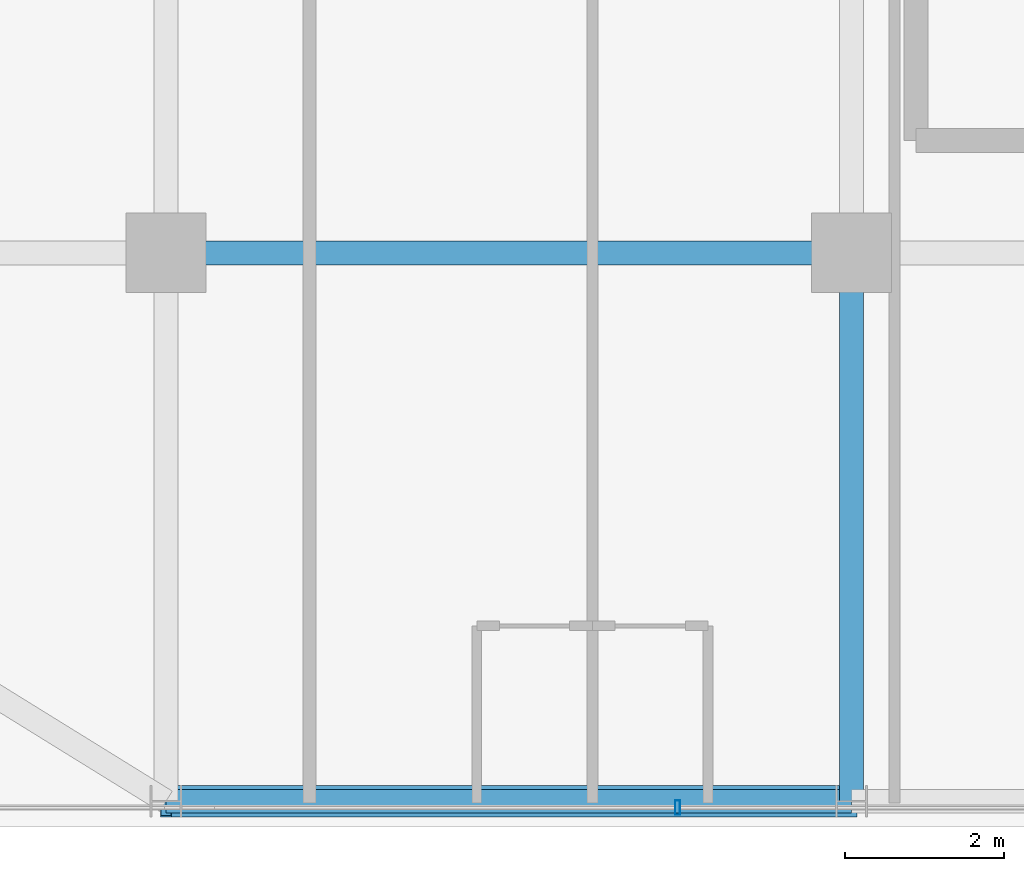
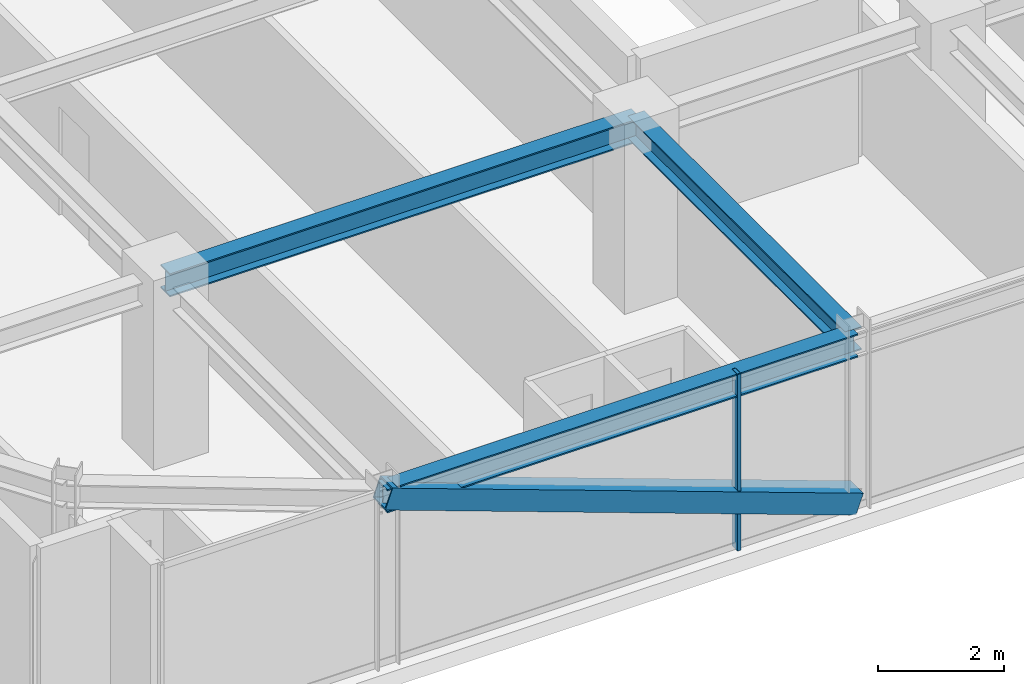
# One storey, part 5 of 43: 3 beams, 2 members, 1 element without a shape of its own.
"""IFC4 building model written with IfcOpenShell, lengths in metres."""

from ifc_helpers import new_model, si_unit, direction, frame, origin, origin_2d, place, context, subcontext, project, spatial, hollow_rectangle, i_section, extrude, source, transform, mapped, material, material_profile, profile_set, type_object, element, aggregate, save


model = new_model("IFC4")

# Units and contexts
model_context = context("Model", 3, precision=1e-05, world=origin(), true_north=direction((0.0, 1.0)))
body_context = subcontext(model_context, "Body", "Model", "MODEL_VIEW")
ifc_project = project(units=[si_unit("LENGTHUNIT", "METRE"), si_unit("AREAUNIT", "SQUARE_METRE"), si_unit("VOLUMEUNIT", "CUBIC_METRE"), si_unit("PLANEANGLEUNIT", "RADIAN"), si_unit("MASSUNIT", "GRAM", prefix="KILO")], contexts=[model_context])

# Site, building, storey
site_placement = place(None, origin())
site = spatial("IfcSite", under=ifc_project, at=site_placement, CompositionType="ELEMENT")
building_placement = place(site_placement, origin())
building = spatial("IfcBuilding", under=site, at=building_placement, Name="Nahalor Promenade Grand Hotel", CompositionType="ELEMENT")
storey_placement = place(building_placement, frame((0.0, 0.0, 204.89990234375)))
storey = spatial("IfcBuildingStorey", under=building, at=storey_placement, Name="L52", CompositionType="ELEMENT", Elevation=204.89990234375)

# Beams
ifc_material_1 = material(Name="Steel S355JR", Category="steel")
ifc_material_profile_1 = material_profile(ifc_material_1, i_section(OverallWidth=0.3, OverallDepth=0.45, WebThickness=0.014, FlangeThickness=0.026, at=origin_2d()), Name="HEB 450")
ifc_profile_set_1 = profile_set([ifc_material_profile_1], Name="Steel S355JR")
beam_type_1 = type_object("IfcBeamType", Name="Beam-Spandrel-HEB450", PredefinedType="SPANDREL", material=ifc_profile_set_1)
shared_shape_1 = source(origin(), body_context, "Body", "SweptSolid", [
    extrude(i_section(OverallWidth=0.3, OverallDepth=0.45, WebThickness=0.014, FlangeThickness=0.026, at=origin_2d()), origin(), (0.0, 0.0, 1.0), 8.60009765625),
])
beam_1_placement = place(storey_placement, frame((-17.0, -23.8798828125, 3.18505859375), z_axis=(1.0, 0.0, 0.0), x_axis=(0.0, 1.0, 0.0)))
element("IfcBeam", 1, at=beam_1_placement, inside=storey, type_object=beam_type_1, Name="BM-L52-SP-S-0", PredefinedType="SPANDREL", context=body_context, shape_type="MappedRepresentation", body=[
    mapped(shared_shape_1, transform((0.0, 0.0, 0.0), scale=1.0)),
])
ifc_material_profile_2 = material_profile(ifc_material_1, i_section(OverallWidth=0.3, OverallDepth=0.45, WebThickness=0.014, FlangeThickness=0.026, at=origin_2d()), Name="HEB 450")
ifc_profile_set_2 = profile_set([ifc_material_profile_2], Name="Steel S355JR")
beam_type_2 = type_object("IfcBeamType", Name="Beam-Girder-HEB450", PredefinedType="BEAM", material=ifc_profile_set_2)
shared_shape_2 = source(origin(), body_context, "Body", "SweptSolid", [
    extrude(i_section(OverallWidth=0.3, OverallDepth=0.45, WebThickness=0.014, FlangeThickness=0.026, at=origin_2d()), origin(), (0.0, 0.0, 1.0), 6.8798828125),
])
beam_2_placement = place(storey_placement, frame((-8.39990234375, -23.8798828125, 3.18505859375), z_axis=(0.0, 1.0, 0.0), x_axis=(-1.0, 0.0, 0.0)))
element("IfcBeam", 2, at=beam_2_placement, inside=storey, type_object=beam_type_2, Name="BM-L52-GY-1-0", PredefinedType="BEAM", context=body_context, shape_type="MappedRepresentation", body=[
    mapped(shared_shape_2, transform((0.0, 0.0, 0.0), scale=1.0)),
])
shared_shape_3 = source(origin(), body_context, "Body", "SweptSolid", [
    extrude(i_section(OverallWidth=0.3, OverallDepth=0.45, WebThickness=0.014, FlangeThickness=0.026, at=origin_2d()), origin(), (0.0, 0.0, 1.0), 8.60009765625),
])
beam_3_placement = place(storey_placement, frame((-17.0, -17.0, 3.18505859375), z_axis=(1.0, 0.0, 0.0), x_axis=(0.0, 1.0, 0.0)))
element("IfcBeam", 3, at=beam_3_placement, inside=storey, type_object=beam_type_2, Name="BM-L52-GX-0-1", PredefinedType="BEAM", context=body_context, shape_type="MappedRepresentation", body=[
    mapped(shared_shape_3, transform((0.0, 0.0, 0.0), scale=1.0)),
])

# Member
ifc_material_profile_3 = material_profile(ifc_material_1, hollow_rectangle(XDim=0.4, YDim=0.4, WallThickness=0.022, at=origin_2d()), Name="SHS 400x400x22")
ifc_profile_set_3 = profile_set([ifc_material_profile_3], Name="Steel S355JR")
member_type_1 = type_object("IfcMemberType", Name="Mem-ExoBrace-SHS400", PredefinedType="BRACE", material=ifc_profile_set_3)
shared_shape_4 = source(origin(), body_context, "Body", "SweptSolid", [
    extrude(hollow_rectangle(XDim=0.4, YDim=0.4, WallThickness=0.022, at=origin_2d()), origin(), (0.0, 0.0, 1.0), 9.14501953125),
])
member_1_placement = place(storey_placement, frame((-8.39990234375, -23.8798828125, 0.150146484375), z_axis=(-0.940404564616, 0.0, 0.340057722821), x_axis=(0.0, -1.0, 0.0)))
element("IfcMember", 4, at=member_1_placement, inside=storey, type_object=member_type_1, Name="EXO-L52-S-0", PredefinedType="BRACE", context=body_context, shape_type="MappedRepresentation", body=[
    mapped(shared_shape_4, transform((0.0, 0.0, 0.0), scale=1.0)),
])

# Curtain wall, member
ifc_material_2 = material(Name="Anodised Bronze Aluminium EN AW-6063 T6", Category="aluminium")
curtain_wall_type = type_object("IfcCurtainWallType", Name="CW2 Typical Hotel Flush Bronze Unitised Curtain Wall", PredefinedType="USERDEFINED", material=ifc_material_2)
curtain_wall_placement = place(storey_placement, origin())
curtain_wall = element("IfcCurtainWall", 5, at=curtain_wall_placement, inside=storey, type_object=curtain_wall_type, Name="L52 Curtain Wall CW-L52-S-1", ObjectType="UNITISED_CURTAIN_WALL", PredefinedType="USERDEFINED")
ifc_material_profile_4 = material_profile(ifc_material_2, hollow_rectangle(XDim=0.065, YDim=0.18, WallThickness=0.004, at=origin_2d()), Name="CWM 65x180x4")
ifc_profile_set_4 = profile_set([ifc_material_profile_4], Name="Anodised Bronze Aluminium EN AW-6063 T6")
member_type_2 = type_object("IfcMemberType", Name="CWM2 Typical Bronze Mullion 65x180", PredefinedType="MULLION", material=ifc_profile_set_4)
shared_shape_5 = source(origin(), body_context, "Body", "SweptSolid", [
    extrude(hollow_rectangle(XDim=0.065, YDim=0.18, WallThickness=0.004, at=origin_2d()), origin(), (0.0, 0.0, 1.0), 3.41015625),
])
member_2_placement = place(storey_placement, frame((-10.580078125, -23.9599609375, 0.0), z_axis=(0.0, 0.0, 1.0), x_axis=(1.0, 0.0, 0.0)))
member_2 = element("IfcMember", 6, at=member_2_placement, type_object=member_type_2, Name="CW-L52-S-1 Mullion 1", PredefinedType="MULLION", context=body_context, shape_type="MappedRepresentation", body=[
    mapped(shared_shape_5, transform((0.0, 0.0, 0.0), scale=1.0)),
])
aggregate(curtain_wall, [member_2])

save(model, "model.ifc")
